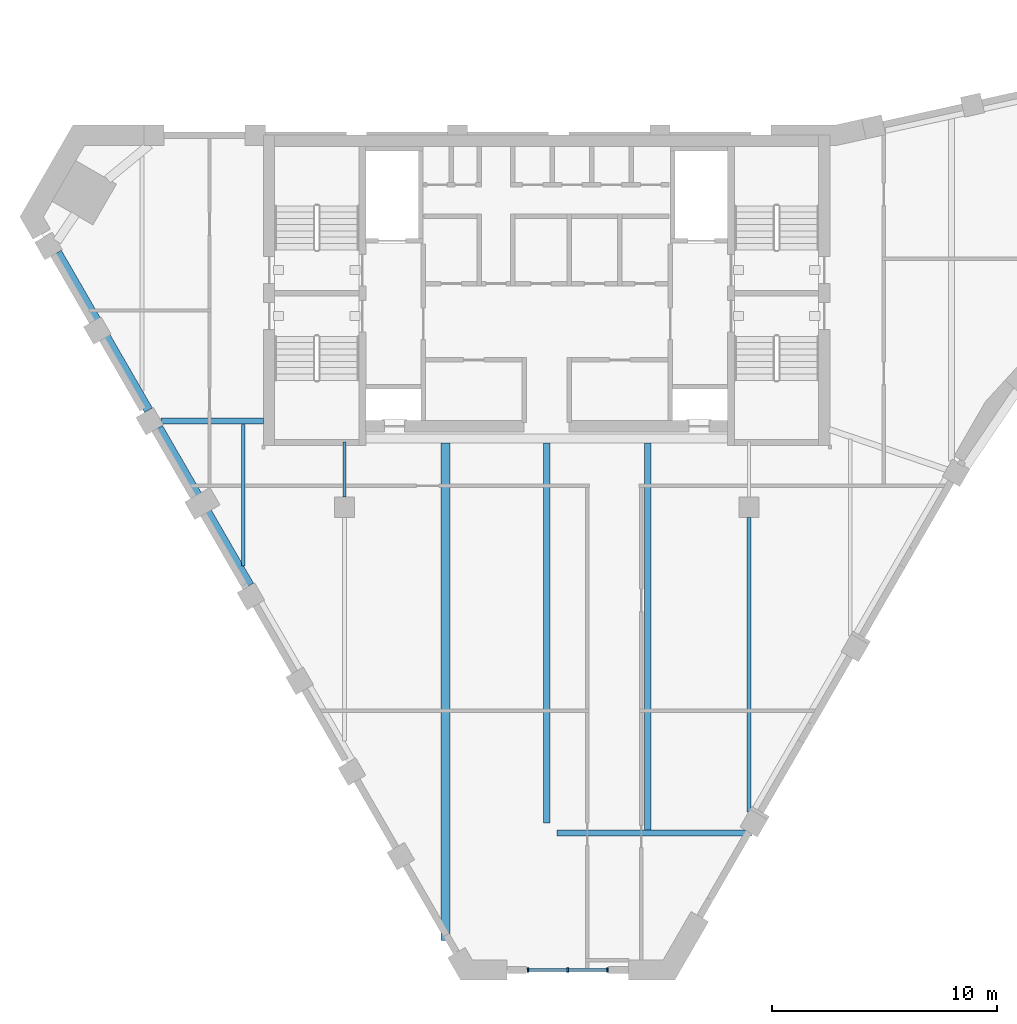
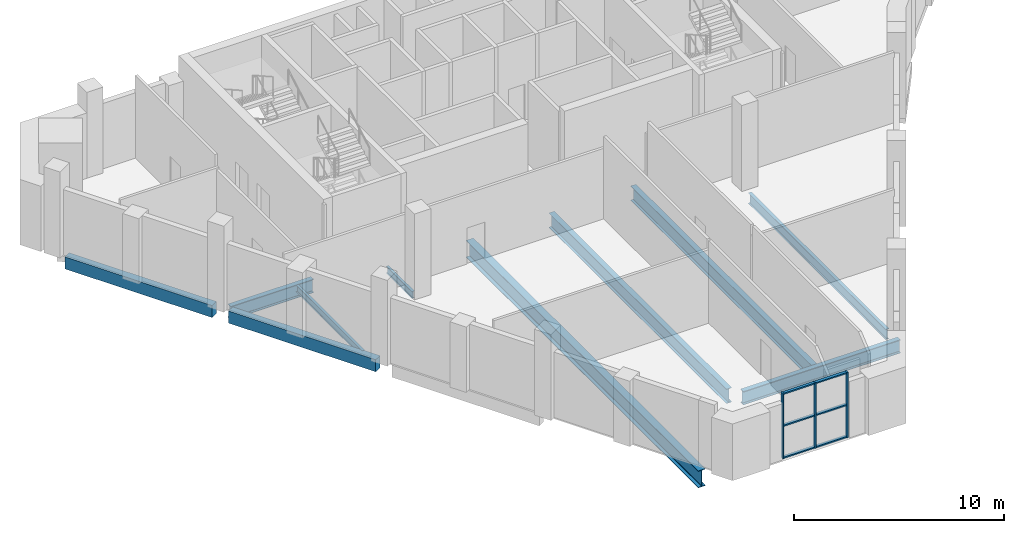
# One storey, part 2 of 9: 10 beams, 9 members, 1 element without a shape of its own.
"""IFC4 building model written with IfcOpenShell, lengths in metres."""

from ifc_helpers import new_model, si_unit, direction, frame, origin, origin_2d, place, context, subcontext, project, spatial, rectangle, i_section, extrude, material, material_profile, profile_set, type_object, element, aggregate, save


model = new_model("IFC4")

# Units and contexts
model_context = context("Model", 3, precision=1e-05, world=origin(), true_north=direction((0.0, 1.0)))
body_context = subcontext(model_context, "Body", "Model", "MODEL_VIEW")
ifc_project = project(units=[si_unit("LENGTHUNIT", "METRE"), si_unit("AREAUNIT", "SQUARE_METRE"), si_unit("VOLUMEUNIT", "CUBIC_METRE"), si_unit("PLANEANGLEUNIT", "RADIAN"), si_unit("MASSUNIT", "GRAM", prefix="KILO")], contexts=[model_context])

# Site, building, storey
site_placement = place(None, origin())
site = spatial("IfcSite", under=ifc_project, at=site_placement, CompositionType="ELEMENT")
building_placement = place(site_placement, origin())
building = spatial("IfcBuilding", under=site, at=building_placement, Name="Calabash Gate Tower", CompositionType="ELEMENT")
storey_placement = place(building_placement, frame((0.0, 0.0, 315.5)))
storey = spatial("IfcBuildingStorey", under=building, at=storey_placement, Name="L74", CompositionType="ELEMENT", Elevation=315.5)

# Beams
ifc_material_1 = material(Name="Concrete C50/60", Category="concrete")
ifc_material_profile_1 = material_profile(ifc_material_1, rectangle(XDim=0.39990234375, YDim=0.699951171875, at=origin_2d()))
ifc_profile_set_1 = profile_set([ifc_material_profile_1], Name="Concrete C50/60")
beam_type_1 = type_object("IfcBeamType", Name="Edge beam RC 400x700 Concrete C50/60", PredefinedType="BEAM", material=ifc_profile_set_1)
beam_1_placement = place(storey_placement, frame((-21.763916015625, 13.830078125, -0.550048828125), z_axis=(0.500016430238, -0.866015917575, 0.0), x_axis=(0.866015917575, 0.500016430238, 0.0)))
element("IfcBeam", 1, at=beam_1_placement, inside=storey, type_object=beam_type_1, Name="Edge beam L74 13", PredefinedType="BEAM", context=body_context, shape_type="SweptSolid", body=[
    extrude(rectangle(XDim=0.39990234375, YDim=0.699951171875, at=origin_2d()), origin(), (0.0, 0.0, 1.0), 8.099365234375),
])
beam_2_placement = place(storey_placement, frame((-17.263916015625, 6.035888671875, -0.550048828125), z_axis=(0.499977274689, -0.866038523851, 0.0), x_axis=(0.866038523851, 0.499977274689, 0.0)))
element("IfcBeam", 2, at=beam_2_placement, inside=storey, type_object=beam_type_1, Name="Edge beam L74 14", PredefinedType="BEAM", context=body_context, shape_type="SweptSolid", body=[
    extrude(rectangle(XDim=0.39990234375, YDim=0.699951171875, at=origin_2d()), origin(), (0.0, 0.0, 1.0), 8.10009765625),
])
ifc_material_2 = material(Name="Steel ASTM A992 Gr50", Category="steel")
ifc_material_profile_2 = material_profile(ifc_material_2, i_section(OverallWidth=0.1396484375, OverallDepth=0.398681640625, WebThickness=0.00634765625, FlangeThickness=0.0087890625, FilletRadius=0.01025390625, at=origin_2d()))
ifc_profile_set_2 = profile_set([ifc_material_profile_2], Name="Steel ASTM A992 Gr50")
beam_type_2 = type_object("IfcBeamType", Name="Floor beam W16x26 ASTM A992 Gr50", PredefinedType="BEAM", material=ifc_profile_set_2)
beam_3_placement = place(storey_placement, frame((-13.5, -0.113037109375, -0.39892578125), z_axis=(0.0, 1.0, 0.0), x_axis=(-1.0, 0.0, 0.0)))
element("IfcBeam", 3, at=beam_3_placement, inside=storey, type_object=beam_type_2, Name="Floor beam L74 2", PredefinedType="BEAM", context=body_context, shape_type="SweptSolid", body=[
    extrude(i_section(OverallWidth=0.1396484375, OverallDepth=0.398681640625, WebThickness=0.00634765625, FlangeThickness=0.0087890625, FilletRadius=0.01025390625, at=origin_2d()), origin(), (0.0, 0.0, 1.0), 6.304931640625),
])
beam_4_placement = place(storey_placement, frame((-9.0, 2.949951171875, -0.39892578125), z_axis=(0.0, 1.0, 0.0), x_axis=(-1.0, 0.0, 0.0)))
element("IfcBeam", 4, at=beam_4_placement, inside=storey, type_object=beam_type_2, Name="Floor beam L74 4", PredefinedType="BEAM", context=body_context, shape_type="SweptSolid", body=[
    extrude(i_section(OverallWidth=0.1396484375, OverallDepth=0.398681640625, WebThickness=0.00634765625, FlangeThickness=0.0087890625, FilletRadius=0.01025390625, at=origin_2d()), origin(), (0.0, 0.0, 1.0), 2.453125),
])
ifc_material_3 = material(Name="Steel ASTM A992 Gr50", Category="steel")
ifc_material_profile_3 = material_profile(ifc_material_3, i_section(OverallWidth=0.1787109375, OverallDepth=0.60205078125, WebThickness=0.010986328125, FlangeThickness=0.014892578125, FilletRadius=0.0126953125, at=origin_2d()))
ifc_profile_set_3 = profile_set([ifc_material_profile_3], Name="Steel ASTM A992 Gr50")
beam_type_3 = type_object("IfcBeamType", Name="Floor beam W24x62 ASTM A992 Gr50", PredefinedType="BEAM", material=ifc_profile_set_3)
beam_5_placement = place(storey_placement, frame((9.0, -11.051025390625, -0.5009765625), z_axis=(0.0, 1.0, 0.0), x_axis=(-1.0, 0.0, 0.0)))
element("IfcBeam", 5, at=beam_5_placement, inside=storey, type_object=beam_type_3, Name="Floor beam L74 8", PredefinedType="BEAM", context=body_context, shape_type="SweptSolid", body=[
    extrude(i_section(OverallWidth=0.1787109375, OverallDepth=0.60205078125, WebThickness=0.010986328125, FlangeThickness=0.014892578125, FilletRadius=0.0126953125, at=origin_2d()), origin(), (0.0, 0.0, 1.0), 13.10107421875),
])
ifc_material_4 = material(Name="Steel ASTM A992 Gr50", Category="steel")
ifc_material_profile_4 = material_profile(ifc_material_4, i_section(OverallWidth=0.2919921875, OverallDepth=0.845703125, WebThickness=0.015380859375, FlangeThickness=0.0244140625, FilletRadius=0.017822265625, at=origin_2d()))
ifc_profile_set_4 = profile_set([ifc_material_profile_4], Name="Steel ASTM A992 Gr50")
beam_type_4 = type_object("IfcBeamType", Name="Floor beam W33x141 ASTM A992 Gr50", PredefinedType="BEAM", material=ifc_profile_set_4)
beam_6_placement = place(storey_placement, frame((0.0, -11.550048828125, -0.623046875), z_axis=(0.0, 1.0, 0.0), x_axis=(-1.0, 0.0, 0.0)))
element("IfcBeam", 6, at=beam_6_placement, inside=storey, type_object=beam_type_4, Name="Floor beam L74 6", PredefinedType="BEAM", context=body_context, shape_type="SweptSolid", body=[
    extrude(i_section(OverallWidth=0.2919921875, OverallDepth=0.845703125, WebThickness=0.015380859375, FlangeThickness=0.0244140625, FilletRadius=0.017822265625, at=origin_2d()), origin(), (0.0, 0.0, 1.0), 16.902099609375),
])
beam_7_placement = place(storey_placement, frame((4.5, -11.866943359375, -0.623046875), z_axis=(0.0, 1.0, 0.0), x_axis=(-1.0, 0.0, 0.0)))
element("IfcBeam", 7, at=beam_7_placement, inside=storey, type_object=beam_type_4, Name="Floor beam L74 7", PredefinedType="BEAM", context=body_context, shape_type="SweptSolid", body=[
    extrude(i_section(OverallWidth=0.2919921875, OverallDepth=0.845703125, WebThickness=0.015380859375, FlangeThickness=0.0244140625, FilletRadius=0.017822265625, at=origin_2d()), origin(), (0.0, 0.0, 1.0), 17.218994140625),
])
ifc_material_5 = material(Name="Steel ASTM A992 Gr50", Category="steel")
ifc_material_profile_5 = material_profile(ifc_material_5, i_section(OverallWidth=0.4013671875, OverallDepth=0.990478515625, WebThickness=0.0166015625, FlangeThickness=0.031005859375, FilletRadius=0.030029296875, at=origin_2d()))
ifc_profile_set_5 = profile_set([ifc_material_profile_5], Name="Steel ASTM A992 Gr50")
beam_type_5 = type_object("IfcBeamType", Name="Floor beam W40x215 ASTM A992 Gr50", PredefinedType="BEAM", material=ifc_profile_set_5)
beam_8_placement = place(storey_placement, frame((-4.5, -16.762939453125, -0.693115234375), z_axis=(0.0, 1.0, 0.0), x_axis=(-1.0, 0.0, 0.0)))
element("IfcBeam", 8, at=beam_8_placement, inside=storey, type_object=beam_type_5, Name="Floor beam L74 5", PredefinedType="BEAM", context=body_context, shape_type="SweptSolid", body=[
    extrude(i_section(OverallWidth=0.4013671875, OverallDepth=0.990478515625, WebThickness=0.0166015625, FlangeThickness=0.031005859375, FilletRadius=0.030029296875, at=origin_2d()), origin(), (0.0, 0.0, 1.0), 22.114990234375),
])
ifc_material_6 = material(Name="Steel ASTM A992 Gr50", Category="steel")
ifc_material_profile_6 = material_profile(ifc_material_6, i_section(OverallWidth=0.2666015625, OverallDepth=0.77978515625, WebThickness=0.0166015625, FlangeThickness=0.030029296875, FilletRadius=0.0166015625, at=origin_2d()))
ifc_profile_set_6 = profile_set([ifc_material_profile_6], Name="Steel ASTM A992 Gr50")
beam_type_6 = type_object("IfcBeamType", Name="Girder W30x148 ASTM A992 Gr50", PredefinedType="BEAM", material=ifc_profile_set_6)
beam_9_placement = place(storey_placement, frame((-17.1640625, 6.325927734375, -0.590087890625), z_axis=(1.0, 0.0, 0.0), x_axis=(0.0, 1.0, 0.0)))
element("IfcBeam", 9, at=beam_9_placement, inside=storey, type_object=beam_type_6, Name="Girder L74 2", PredefinedType="BEAM", context=body_context, shape_type="SweptSolid", body=[
    extrude(i_section(OverallWidth=0.2666015625, OverallDepth=0.77978515625, WebThickness=0.0166015625, FlangeThickness=0.030029296875, FilletRadius=0.0166015625, at=origin_2d()), origin(), (0.0, 0.0, 1.0), 4.56396484375),
])
beam_10_placement = place(storey_placement, frame((0.449951171875, -12.0, -0.590087890625), z_axis=(1.0, 0.0, 0.0), x_axis=(0.0, 1.0, 0.0)))
element("IfcBeam", 10, at=beam_10_placement, inside=storey, type_object=beam_type_6, Name="Girder L74 4", PredefinedType="BEAM", context=body_context, shape_type="SweptSolid", body=[
    extrude(i_section(OverallWidth=0.2666015625, OverallDepth=0.77978515625, WebThickness=0.0166015625, FlangeThickness=0.030029296875, FilletRadius=0.0166015625, at=origin_2d()), origin(), (0.0, 0.0, 1.0), 8.653076171875),
])

# Curtain wall, members
ifc_material_7 = material(Name="Anodised aluminium frame, bronze finish, clear laminated impact-rated glazing", Category="aluminium")
curtain_wall_type = type_object("IfcCurtainWallType", Name="Curtain wall CWV crown wall", PredefinedType="NOTDEFINED", material=ifc_material_7)
curtain_wall_placement = place(storey_placement, origin())
curtain_wall = element("IfcCurtainWall", 11, at=curtain_wall_placement, inside=storey, type_object=curtain_wall_type, Name="Curtain wall CWV L74 crown1.1", PredefinedType="NOTDEFINED")
ifc_material_8 = material(Name="Anodised aluminium frame, bronze finish", Category="aluminium")
ifc_material_profile_7 = material_profile(ifc_material_8, rectangle(XDim=0.199951171875, YDim=0.074951171875, at=origin_2d()))
ifc_profile_set_7 = profile_set([ifc_material_profile_7], Name="Anodised aluminium frame, bronze finish")
member_type_1 = type_object("IfcMemberType", Name="Mullion CWV 75x200", PredefinedType="MULLION", material=ifc_profile_set_7)
member_1_placement = place(storey_placement, frame((-0.82666015625, -18.080810546875, 0.0), z_axis=(0.0, 0.0, 1.0), x_axis=(0.0, 1.0, 0.0)))
member_1 = element("IfcMember", 12, at=member_1_placement, type_object=member_type_1, Name="CWV mullion 1", PredefinedType="MULLION", context=body_context, shape_type="SweptSolid", body=[
    extrude(rectangle(XDim=0.199951171875, YDim=0.074951171875, at=origin_2d()), origin(), (0.0, 0.0, 1.0), 3.800048828125),
])
member_2_placement = place(storey_placement, frame((0.93603515625, -18.080810546875, 0.0), z_axis=(0.0, 0.0, 1.0), x_axis=(0.0, 1.0, 0.0)))
member_2 = element("IfcMember", 13, at=member_2_placement, type_object=member_type_1, Name="CWV mullion 2", PredefinedType="MULLION", context=body_context, shape_type="SweptSolid", body=[
    extrude(rectangle(XDim=0.199951171875, YDim=0.074951171875, at=origin_2d()), origin(), (0.0, 0.0, 1.0), 3.800048828125),
])
member_3_placement = place(storey_placement, frame((2.698486328125, -18.080810546875, 0.0), z_axis=(0.0, 0.0, 1.0), x_axis=(0.0, 1.0, 0.0)))
member_3 = element("IfcMember", 14, at=member_3_placement, type_object=member_type_1, Name="CWV mullion 3", PredefinedType="MULLION", context=body_context, shape_type="SweptSolid", body=[
    extrude(rectangle(XDim=0.199951171875, YDim=0.074951171875, at=origin_2d()), origin(), (0.0, 0.0, 1.0), 3.800048828125),
])
ifc_material_9 = material(Name="Anodised aluminium frame, bronze finish", Category="aluminium")
ifc_material_profile_8 = material_profile(ifc_material_9, rectangle(XDim=0.159912109375, YDim=0.074951171875, at=origin_2d()))
ifc_profile_set_8 = profile_set([ifc_material_profile_8], Name="Anodised aluminium frame, bronze finish")
member_type_2 = type_object("IfcMemberType", Name="Transom CWV 75x160", PredefinedType="USERDEFINED", material=ifc_profile_set_8)
member_4_placement = place(storey_placement, frame((-0.7890625, -18.080810546875, 0.03759765625), z_axis=(1.0, 0.0, 0.0), x_axis=(0.0, 1.0, 0.0)))
member_4 = element("IfcMember", 15, at=member_4_placement, type_object=member_type_2, Name="CWV transom 1.1", ObjectType="TRANSOM", PredefinedType="USERDEFINED", context=body_context, shape_type="SweptSolid", body=[
    extrude(rectangle(XDim=0.159912109375, YDim=0.074951171875, at=origin_2d()), origin(), (0.0, 0.0, 1.0), 1.6875),
])
member_5_placement = place(storey_placement, frame((-0.7890625, -18.080810546875, 1.89990234375), z_axis=(1.0, 0.0, 0.0), x_axis=(0.0, 1.0, 0.0)))
member_5 = element("IfcMember", 16, at=member_5_placement, type_object=member_type_2, Name="CWV transom 1.2", ObjectType="TRANSOM", PredefinedType="USERDEFINED", context=body_context, shape_type="SweptSolid", body=[
    extrude(rectangle(XDim=0.159912109375, YDim=0.074951171875, at=origin_2d()), origin(), (0.0, 0.0, 1.0), 1.6875),
])
member_6_placement = place(storey_placement, frame((-0.7890625, -18.080810546875, 3.762451171875), z_axis=(1.0, 0.0, 0.0), x_axis=(0.0, 1.0, 0.0)))
member_6 = element("IfcMember", 17, at=member_6_placement, type_object=member_type_2, Name="CWV transom 1.3", ObjectType="TRANSOM", PredefinedType="USERDEFINED", context=body_context, shape_type="SweptSolid", body=[
    extrude(rectangle(XDim=0.159912109375, YDim=0.074951171875, at=origin_2d()), origin(), (0.0, 0.0, 1.0), 1.6875),
])
member_7_placement = place(storey_placement, frame((0.973388671875, -18.080810546875, 0.03759765625), z_axis=(1.0, 0.0, 0.0), x_axis=(0.0, 1.0, 0.0)))
member_7 = element("IfcMember", 18, at=member_7_placement, type_object=member_type_2, Name="CWV transom 2.1", ObjectType="TRANSOM", PredefinedType="USERDEFINED", context=body_context, shape_type="SweptSolid", body=[
    extrude(rectangle(XDim=0.159912109375, YDim=0.074951171875, at=origin_2d()), origin(), (0.0, 0.0, 1.0), 1.6875),
])
member_8_placement = place(storey_placement, frame((0.973388671875, -18.080810546875, 1.89990234375), z_axis=(1.0, 0.0, 0.0), x_axis=(0.0, 1.0, 0.0)))
member_8 = element("IfcMember", 19, at=member_8_placement, type_object=member_type_2, Name="CWV transom 2.2", ObjectType="TRANSOM", PredefinedType="USERDEFINED", context=body_context, shape_type="SweptSolid", body=[
    extrude(rectangle(XDim=0.159912109375, YDim=0.074951171875, at=origin_2d()), origin(), (0.0, 0.0, 1.0), 1.6875),
])
member_9_placement = place(storey_placement, frame((0.973388671875, -18.080810546875, 3.762451171875), z_axis=(1.0, 0.0, 0.0), x_axis=(0.0, 1.0, 0.0)))
member_9 = element("IfcMember", 20, at=member_9_placement, type_object=member_type_2, Name="CWV transom 2.3", ObjectType="TRANSOM", PredefinedType="USERDEFINED", context=body_context, shape_type="SweptSolid", body=[
    extrude(rectangle(XDim=0.159912109375, YDim=0.074951171875, at=origin_2d()), origin(), (0.0, 0.0, 1.0), 1.6875),
])
aggregate(curtain_wall, [member_1, member_2, member_3, member_4, member_5, member_6, member_7, member_8, member_9])

save(model, "model.ifc")
